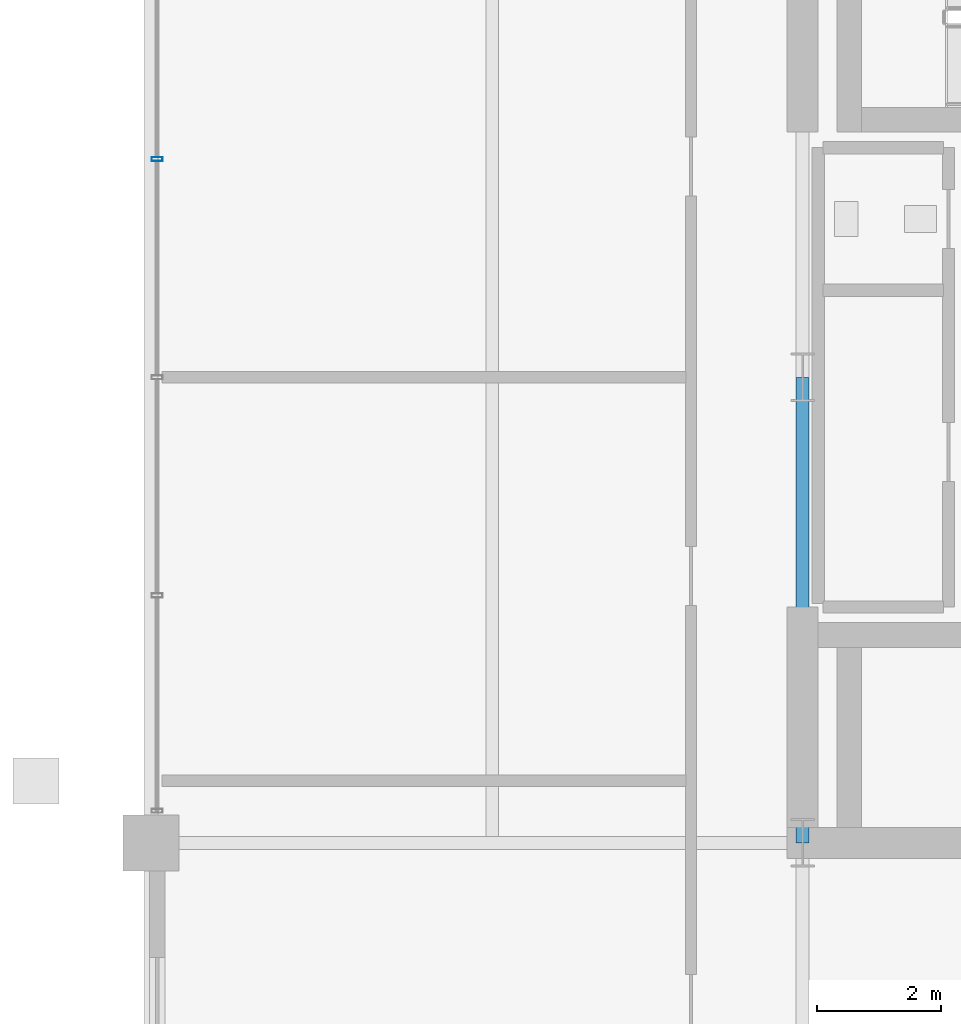
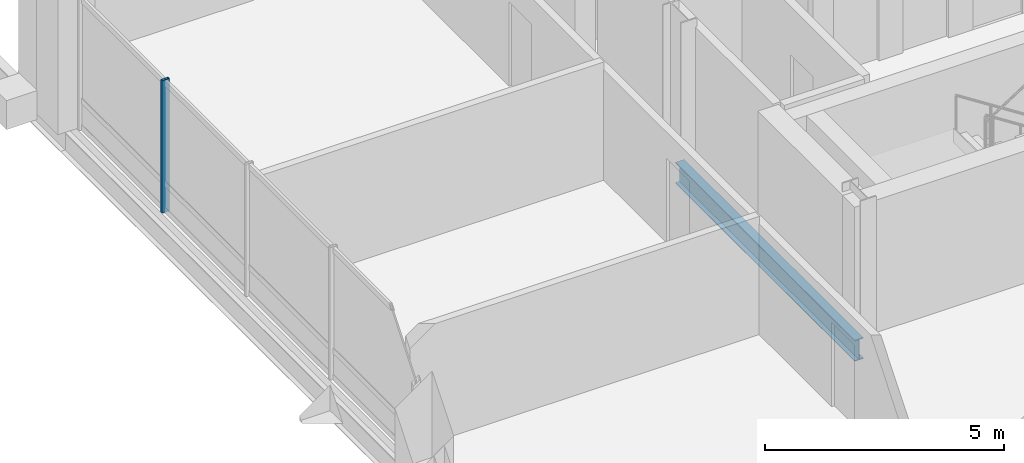
# One storey, part 7 of 16: 1 beam, 1 member, 1 element without a shape of its own.
"""IFC4 building model written with IfcOpenShell, lengths in metres."""

from ifc_helpers import new_model, si_unit, direction, frame, origin, origin_2d, place, context, subcontext, project, spatial, hollow_rectangle, i_section, extrude, material, layer, layer_set, material_profile, profile_set, type_object, element, aggregate, save


model = new_model("IFC4")

# Units and contexts
model_context = context("Model", 3, precision=1e-05, world=origin(), true_north=direction((0.0, 1.0)))
body_context = subcontext(model_context, "Body", "Model", "MODEL_VIEW")
ifc_project = project(units=[si_unit("LENGTHUNIT", "METRE"), si_unit("AREAUNIT", "SQUARE_METRE"), si_unit("VOLUMEUNIT", "CUBIC_METRE"), si_unit("PLANEANGLEUNIT", "RADIAN"), si_unit("MASSUNIT", "GRAM", prefix="KILO")], contexts=[model_context])

# Site, building, storey
site_placement = place(None, origin())
site = spatial("IfcSite", under=ifc_project, at=site_placement, CompositionType="ELEMENT")
building_placement = place(site_placement, origin())
building = spatial("IfcBuilding", under=site, at=building_placement, Name="Barlavira Tower and Art Museum", CompositionType="ELEMENT")
storey_placement = place(building_placement, frame((0.0, 0.0, 265.5)))
storey = spatial("IfcBuildingStorey", under=building, at=storey_placement, Name="L69", CompositionType="ELEMENT", Elevation=265.5)

# Curtain wall, member
ifc_material_1 = material(Name="Low-iron coastal laminated glass", Category="glass")
ifc_layer = layer(ifc_material_1, 0.2099609375, Name="Low-iron coastal laminated glass")
ifc_layer_set = layer_set([ifc_layer], Name="Low-iron coastal laminated glass")
curtain_wall_type = type_object("IfcCurtainWallType", Name="Pale-Metal Unitised Curtain Wall Zone 4", PredefinedType="NOTDEFINED", material=ifc_layer_set)
curtain_wall_placement = place(storey_placement, origin())
curtain_wall = element("IfcCurtainWall", 1, at=curtain_wall_placement, inside=storey, type_object=curtain_wall_type, Name="L69 Curtain Wall CW4-L69-W-B2", PredefinedType="NOTDEFINED")
ifc_material_2 = material(Name="Pale anodised aluminium", Category="aluminium")
ifc_material_profile_1 = material_profile(ifc_material_2, hollow_rectangle(XDim=0.06494140625, YDim=0.179931640625, WallThickness=0.00390625, at=origin_2d()), Name="ALU-MULL 65x180x4")
ifc_profile_set_1 = profile_set([ifc_material_profile_1], Name="Pale anodised aluminium")
member_type = type_object("IfcMemberType", Name="Curtain Wall Pale-Metal Mullion 65x180", PredefinedType="MULLION", material=ifc_profile_set_1)
member_placement = place(storey_placement, frame((-16.89990234375, 3.514892578125, 0.0), z_axis=(0.0, 0.0, 1.0), x_axis=(0.0, -1.0, 0.0)))
member = element("IfcMember", 2, at=member_placement, type_object=member_type, Name="CW4-L69-W-B2 Mullion 1", PredefinedType="MULLION", context=body_context, shape_type="SweptSolid", body=[
    extrude(hollow_rectangle(XDim=0.06494140625, YDim=0.179931640625, WallThickness=0.00390625, at=origin_2d()), origin(), (0.0, 0.0, 1.0), 3.3798828125),
])
aggregate(curtain_wall, [member])

# Beam
ifc_material_3 = material(Name="Steel S355", Category="steel")
ifc_material_profile_2 = material_profile(ifc_material_3, i_section(OverallWidth=0.2109375, OverallDepth=0.5390625, WebThickness=0.01171875, FlangeThickness=0.018798828125, at=origin_2d()), Name="W530x109.0")
ifc_profile_set_2 = profile_set([ifc_material_profile_2], Name="Steel S355")
beam_type = type_object("IfcBeamType", Name="Zone 3-4 Primary Floor Girder W530x109 Steel S355", PredefinedType="BEAM", material=ifc_profile_set_2)
beam_placement = place(storey_placement, frame((-6.5, -7.5, -0.489501953125), z_axis=(0.0, 1.0, 0.0), x_axis=(-1.0, 0.0, 0.0)))
element("IfcBeam", 3, at=beam_placement, inside=storey, type_object=beam_type, Name="L69 Girder C-W1", PredefinedType="BEAM", context=body_context, shape_type="SweptSolid", body=[
    extrude(i_section(OverallWidth=0.2109375, OverallDepth=0.5390625, WebThickness=0.01171875, FlangeThickness=0.018798828125, at=origin_2d()), origin(), (0.0, 0.0, 1.0), 7.5),
])

save(model, "model.ifc")
